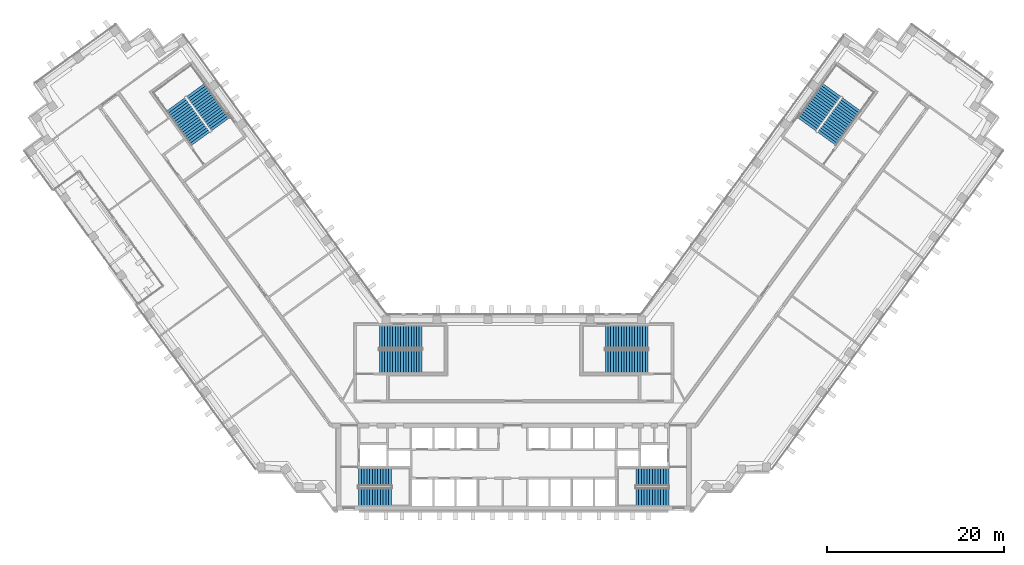
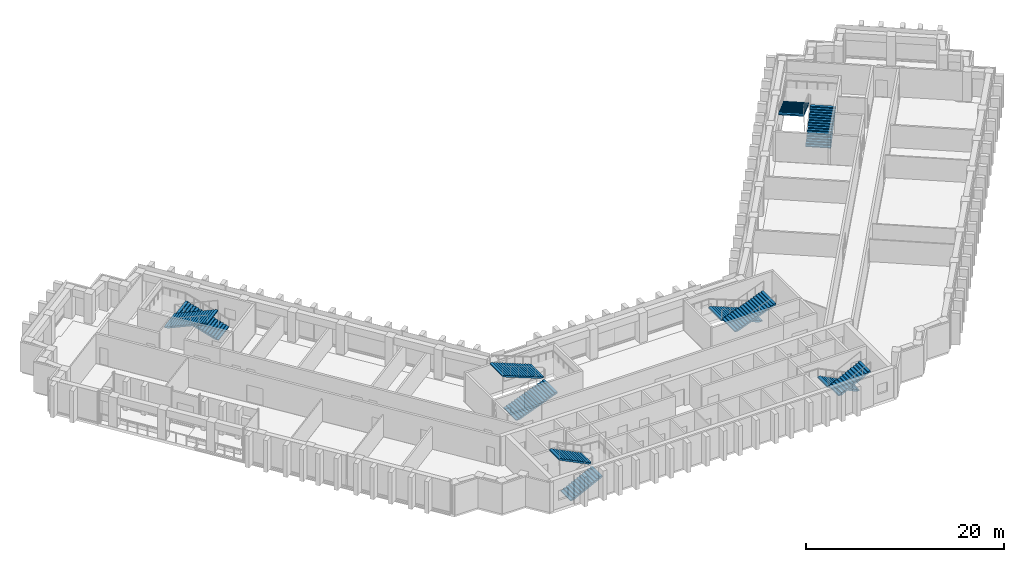
# One storey, part 13 of 17: 12 stair flights, 6 elements without a shape of their own.
"""IFC4 building model written with IfcOpenShell, lengths in metres."""

from ifc_helpers import new_model, si_unit, direction, frame, origin, place, context, subcontext, project, spatial, polyline, outline, extrude, material, type_object, element, aggregate, save


model = new_model("IFC4")

# Units and contexts
model_context = context("Model", 3, precision=1e-05, world=origin(), true_north=direction((0.0, 1.0)))
body_context = subcontext(model_context, "Body", "Model", "MODEL_VIEW")
ifc_project = project(units=[si_unit("LENGTHUNIT", "METRE"), si_unit("AREAUNIT", "SQUARE_METRE"), si_unit("VOLUMEUNIT", "CUBIC_METRE"), si_unit("PLANEANGLEUNIT", "RADIAN"), si_unit("MASSUNIT", "GRAM", prefix="KILO")], contexts=[model_context])

# Site, building, storey
site_placement = place(None, origin())
site = spatial("IfcSite", under=ifc_project, at=site_placement, CompositionType="ELEMENT")
building_placement = place(site_placement, origin())
building = spatial("IfcBuilding", under=site, at=building_placement, Name="Quipu Civic Tower", CompositionType="ELEMENT")
storey_placement = place(building_placement, frame((0.0, 0.0, 43.0)))
storey = spatial("IfcBuildingStorey", under=building, at=storey_placement, Name="L09", CompositionType="ELEMENT", Elevation=43.0)

# Stair, stair flights
ifc_material_1 = material(Name="Concrete C40/50", Category="concrete")
stair_type_1 = type_object("IfcStairType", Name="Half turn stair 2000", PredefinedType="HALF_TURN_STAIR", material=ifc_material_1)
stair_1_placement = place(storey_placement, origin())
stair_1 = element("IfcStair", 1, at=stair_1_placement, inside=storey, type_object=stair_type_1, Name="Exit stair 1", PredefinedType="HALF_TURN_STAIR")
ifc_material_2 = material(Name="Concrete C40/50", Category="concrete")
stair_flight_type_1 = type_object("IfcStairFlightType", Name="Stair flight 2000", PredefinedType="STRAIGHT", material=ifc_material_2)
stair_flight_1_placement = place(storey_placement, frame((-17.5, -9.5, 0.0), z_axis=(0.0, 0.0, 1.0), x_axis=(1.0, 0.0, 0.0)))
stair_flight_1 = element("IfcStairFlight", 2, at=stair_flight_1_placement, type_object=stair_flight_type_1, Name="ST-1 flight 1", NumberOfRisers=13, NumberOfTreads=12, PredefinedType="STRAIGHT", RiserHeight=0.153846154, TreadLength=0.31, context=body_context, shape_type="SweptSolid", body=[
    extrude(outline(polyline([(0.0, 0.0), (0.0, 0.15380859375), (0.31005859375, 0.15380859375), (0.31005859375, 0.3076171875), (0.6201171875, 0.3076171875), (0.6201171875, 0.46142578125), (0.929931640625, 0.46142578125), (0.929931640625, 0.615478515625), (1.239990234375, 0.615478515625), (1.239990234375, 0.769287109375), (1.550048828125, 0.769287109375), (1.550048828125, 0.923095703125), (1.860107421875, 0.923095703125), (1.860107421875, 1.076904296875), (2.169921875, 1.076904296875), (2.169921875, 1.230712890625), (2.47998046875, 1.230712890625), (2.47998046875, 1.384521484375), (2.7900390625, 1.384521484375), (2.7900390625, 1.53857421875), (3.10009765625, 1.53857421875), (3.10009765625, 1.6923828125), (3.409912109375, 1.6923828125), (3.409912109375, 1.84619140625), (3.719970703125, 1.84619140625), (3.719970703125, 2.0), (3.719970703125, 1.6787109375), (0.337158203125, 0.0), (0.0, 0.0)])), frame((0.0, 1.0, 0.0), z_axis=(0.0, -1.0, 0.0), x_axis=(1.0, 0.0, 0.0)), (0.0, 0.0, 1.0), 2.0),
])
stair_flight_2_placement = place(storey_placement, frame((-13.780029296875, -7.25, 2.0), z_axis=(0.0, 0.0, 1.0), x_axis=(-1.0, 0.0, 0.0)))
stair_flight_2 = element("IfcStairFlight", 3, at=stair_flight_2_placement, type_object=stair_flight_type_1, Name="ST-1 flight 2", NumberOfRisers=13, NumberOfTreads=12, PredefinedType="STRAIGHT", RiserHeight=0.153846154, TreadLength=0.31, context=body_context, shape_type="SweptSolid", body=[
    extrude(outline(polyline([(0.0, 0.0), (0.0, 0.15380859375), (0.31005859375, 0.15380859375), (0.31005859375, 0.3076171875), (0.6201171875, 0.3076171875), (0.6201171875, 0.46142578125), (0.929931640625, 0.46142578125), (0.929931640625, 0.615478515625), (1.239990234375, 0.615478515625), (1.239990234375, 0.769287109375), (1.550048828125, 0.769287109375), (1.550048828125, 0.923095703125), (1.860107421875, 0.923095703125), (1.860107421875, 1.076904296875), (2.169921875, 1.076904296875), (2.169921875, 1.230712890625), (2.47998046875, 1.230712890625), (2.47998046875, 1.384521484375), (2.7900390625, 1.384521484375), (2.7900390625, 1.53857421875), (3.10009765625, 1.53857421875), (3.10009765625, 1.6923828125), (3.409912109375, 1.6923828125), (3.409912109375, 1.84619140625), (3.719970703125, 1.84619140625), (3.719970703125, 2.0), (3.719970703125, 1.6787109375), (0.337158203125, 0.0), (0.0, 0.0)])), frame((0.0, 1.0, 0.0), z_axis=(0.0, -1.0, 0.0), x_axis=(1.0, 0.0, 0.0)), (0.0, 0.0, 1.0), 2.0),
])
aggregate(stair_1, [stair_flight_1, stair_flight_2])

stair_2_placement = place(storey_placement, origin())
stair_2 = element("IfcStair", 4, at=stair_2_placement, inside=storey, type_object=stair_type_1, Name="Exit stair 2", PredefinedType="HALF_TURN_STAIR")
stair_flight_3_placement = place(storey_placement, frame((17.5, -7.25, 0.0), z_axis=(0.0, 0.0, 1.0), x_axis=(-1.0, 0.0, 0.0)))
stair_flight_3 = element("IfcStairFlight", 5, at=stair_flight_3_placement, type_object=stair_flight_type_1, Name="ST-2 flight 1", NumberOfRisers=13, NumberOfTreads=12, PredefinedType="STRAIGHT", RiserHeight=0.153846154, TreadLength=0.31, context=body_context, shape_type="SweptSolid", body=[
    extrude(outline(polyline([(0.0, 0.0), (0.0, 0.15380859375), (0.31005859375, 0.15380859375), (0.31005859375, 0.3076171875), (0.6201171875, 0.3076171875), (0.6201171875, 0.46142578125), (0.929931640625, 0.46142578125), (0.929931640625, 0.615478515625), (1.239990234375, 0.615478515625), (1.239990234375, 0.769287109375), (1.550048828125, 0.769287109375), (1.550048828125, 0.923095703125), (1.860107421875, 0.923095703125), (1.860107421875, 1.076904296875), (2.169921875, 1.076904296875), (2.169921875, 1.230712890625), (2.47998046875, 1.230712890625), (2.47998046875, 1.384521484375), (2.7900390625, 1.384521484375), (2.7900390625, 1.53857421875), (3.10009765625, 1.53857421875), (3.10009765625, 1.6923828125), (3.409912109375, 1.6923828125), (3.409912109375, 1.84619140625), (3.719970703125, 1.84619140625), (3.719970703125, 2.0), (3.719970703125, 1.6787109375), (0.337158203125, 0.0), (0.0, 0.0)])), frame((0.0, 1.0, 0.0), z_axis=(0.0, -1.0, 0.0), x_axis=(1.0, 0.0, 0.0)), (0.0, 0.0, 1.0), 2.0),
])
stair_flight_4_placement = place(storey_placement, frame((13.780029296875, -9.5, 2.0), z_axis=(0.0, 0.0, 1.0), x_axis=(1.0, 0.0, 0.0)))
stair_flight_4 = element("IfcStairFlight", 6, at=stair_flight_4_placement, type_object=stair_flight_type_1, Name="ST-2 flight 2", NumberOfRisers=13, NumberOfTreads=12, PredefinedType="STRAIGHT", RiserHeight=0.153846154, TreadLength=0.31, context=body_context, shape_type="SweptSolid", body=[
    extrude(outline(polyline([(0.0, 0.0), (0.0, 0.15380859375), (0.31005859375, 0.15380859375), (0.31005859375, 0.3076171875), (0.6201171875, 0.3076171875), (0.6201171875, 0.46142578125), (0.929931640625, 0.46142578125), (0.929931640625, 0.615478515625), (1.239990234375, 0.615478515625), (1.239990234375, 0.769287109375), (1.550048828125, 0.769287109375), (1.550048828125, 0.923095703125), (1.860107421875, 0.923095703125), (1.860107421875, 1.076904296875), (2.169921875, 1.076904296875), (2.169921875, 1.230712890625), (2.47998046875, 1.230712890625), (2.47998046875, 1.384521484375), (2.7900390625, 1.384521484375), (2.7900390625, 1.53857421875), (3.10009765625, 1.53857421875), (3.10009765625, 1.6923828125), (3.409912109375, 1.6923828125), (3.409912109375, 1.84619140625), (3.719970703125, 1.84619140625), (3.719970703125, 2.0), (3.719970703125, 1.6787109375), (0.337158203125, 0.0), (0.0, 0.0)])), frame((0.0, 1.0, 0.0), z_axis=(0.0, -1.0, 0.0), x_axis=(1.0, 0.0, 0.0)), (0.0, 0.0, 1.0), 2.0),
])
aggregate(stair_2, [stair_flight_3, stair_flight_4])

ifc_material_3 = material(Name="Concrete C40/50", Category="concrete")
stair_type_2 = type_object("IfcStairType", Name="Half turn stair 2600", PredefinedType="HALF_TURN_STAIR", material=ifc_material_3)
stair_3_placement = place(storey_placement, origin())
stair_3 = element("IfcStair", 7, at=stair_3_placement, inside=storey, type_object=stair_type_2, Name="Exit stair 3", PredefinedType="HALF_TURN_STAIR")
ifc_material_4 = material(Name="Concrete C40/50", Category="concrete")
stair_flight_type_2 = type_object("IfcStairFlightType", Name="Stair flight 2600", PredefinedType="STRAIGHT", material=ifc_material_4)
stair_flight_5_placement = place(storey_placement, frame((-15.14990234375, 5.800048828125, 0.0), z_axis=(0.0, 0.0, 1.0), x_axis=(1.0, 0.0, 0.0)))
stair_flight_5 = element("IfcStairFlight", 8, at=stair_flight_5_placement, type_object=stair_flight_type_2, Name="ST-3 flight 1", NumberOfRisers=17, NumberOfTreads=16, PredefinedType="STRAIGHT", RiserHeight=0.117647059, TreadLength=0.3, context=body_context, shape_type="SweptSolid", body=[
    extrude(outline(polyline([(0.0, 0.0), (0.0, 0.11767578125), (0.300048828125, 0.11767578125), (0.300048828125, 0.2353515625), (0.60009765625, 0.2353515625), (0.60009765625, 0.35302734375), (0.89990234375, 0.35302734375), (0.89990234375, 0.470703125), (1.199951171875, 0.470703125), (1.199951171875, 0.588134765625), (1.5, 0.588134765625), (1.5, 0.705810546875), (1.800048828125, 0.705810546875), (1.800048828125, 0.823486328125), (2.10009765625, 0.823486328125), (2.10009765625, 0.941162109375), (2.39990234375, 0.941162109375), (2.39990234375, 1.058837890625), (2.699951171875, 1.058837890625), (2.699951171875, 1.176513671875), (3.0, 1.176513671875), (3.0, 1.294189453125), (3.300048828125, 1.294189453125), (3.300048828125, 1.411865234375), (3.60009765625, 1.411865234375), (3.60009765625, 1.529296875), (3.89990234375, 1.529296875), (3.89990234375, 1.64697265625), (4.199951171875, 1.64697265625), (4.199951171875, 1.7646484375), (4.5, 1.7646484375), (4.5, 1.88232421875), (4.800048828125, 1.88232421875), (4.800048828125, 2.0), (4.800048828125, 1.721435546875), (0.41064453125, 0.0), (0.0, 0.0)])), frame((0.0, 1.300048828125, 0.0), z_axis=(0.0, -1.0, 0.0), x_axis=(1.0, 0.0, 0.0)), (0.0, 0.0, 1.0), 2.60009765625),
])
stair_flight_6_placement = place(storey_placement, frame((-10.35009765625, 8.550048828125, 2.0), z_axis=(0.0, 0.0, 1.0), x_axis=(-1.0, 0.0, 0.0)))
stair_flight_6 = element("IfcStairFlight", 9, at=stair_flight_6_placement, type_object=stair_flight_type_2, Name="ST-3 flight 2", NumberOfRisers=17, NumberOfTreads=16, PredefinedType="STRAIGHT", RiserHeight=0.117647059, TreadLength=0.3, context=body_context, shape_type="SweptSolid", body=[
    extrude(outline(polyline([(0.0, 0.0), (0.0, 0.11767578125), (0.300048828125, 0.11767578125), (0.300048828125, 0.2353515625), (0.60009765625, 0.2353515625), (0.60009765625, 0.35302734375), (0.89990234375, 0.35302734375), (0.89990234375, 0.470703125), (1.199951171875, 0.470703125), (1.199951171875, 0.588134765625), (1.5, 0.588134765625), (1.5, 0.705810546875), (1.800048828125, 0.705810546875), (1.800048828125, 0.823486328125), (2.10009765625, 0.823486328125), (2.10009765625, 0.941162109375), (2.39990234375, 0.941162109375), (2.39990234375, 1.058837890625), (2.699951171875, 1.058837890625), (2.699951171875, 1.176513671875), (3.0, 1.176513671875), (3.0, 1.294189453125), (3.300048828125, 1.294189453125), (3.300048828125, 1.411865234375), (3.60009765625, 1.411865234375), (3.60009765625, 1.529296875), (3.89990234375, 1.529296875), (3.89990234375, 1.64697265625), (4.199951171875, 1.64697265625), (4.199951171875, 1.7646484375), (4.5, 1.7646484375), (4.5, 1.88232421875), (4.800048828125, 1.88232421875), (4.800048828125, 2.0), (4.800048828125, 1.721435546875), (0.41064453125, 0.0), (0.0, 0.0)])), frame((0.0, 1.300048828125, 0.0), z_axis=(0.0, -1.0, 0.0), x_axis=(1.0, 0.0, 0.0)), (0.0, 0.0, 1.0), 2.60009765625),
])
aggregate(stair_3, [stair_flight_5, stair_flight_6])

stair_4_placement = place(storey_placement, origin())
stair_4 = element("IfcStair", 10, at=stair_4_placement, inside=storey, type_object=stair_type_2, Name="Exit stair 4", PredefinedType="HALF_TURN_STAIR")
stair_flight_7_placement = place(storey_placement, frame((15.14990234375, 8.550048828125, 0.0), z_axis=(0.0, 0.0, 1.0), x_axis=(-1.0, 0.0, 0.0)))
stair_flight_7 = element("IfcStairFlight", 11, at=stair_flight_7_placement, type_object=stair_flight_type_2, Name="ST-4 flight 1", NumberOfRisers=17, NumberOfTreads=16, PredefinedType="STRAIGHT", RiserHeight=0.117647059, TreadLength=0.3, context=body_context, shape_type="SweptSolid", body=[
    extrude(outline(polyline([(0.0, 0.0), (0.0, 0.11767578125), (0.300048828125, 0.11767578125), (0.300048828125, 0.2353515625), (0.60009765625, 0.2353515625), (0.60009765625, 0.35302734375), (0.89990234375, 0.35302734375), (0.89990234375, 0.470703125), (1.199951171875, 0.470703125), (1.199951171875, 0.588134765625), (1.5, 0.588134765625), (1.5, 0.705810546875), (1.800048828125, 0.705810546875), (1.800048828125, 0.823486328125), (2.10009765625, 0.823486328125), (2.10009765625, 0.941162109375), (2.39990234375, 0.941162109375), (2.39990234375, 1.058837890625), (2.699951171875, 1.058837890625), (2.699951171875, 1.176513671875), (3.0, 1.176513671875), (3.0, 1.294189453125), (3.300048828125, 1.294189453125), (3.300048828125, 1.411865234375), (3.60009765625, 1.411865234375), (3.60009765625, 1.529296875), (3.89990234375, 1.529296875), (3.89990234375, 1.64697265625), (4.199951171875, 1.64697265625), (4.199951171875, 1.7646484375), (4.5, 1.7646484375), (4.5, 1.88232421875), (4.800048828125, 1.88232421875), (4.800048828125, 2.0), (4.800048828125, 1.721435546875), (0.41064453125, 0.0), (0.0, 0.0)])), frame((0.0, 1.300048828125, 0.0), z_axis=(0.0, -1.0, 0.0), x_axis=(1.0, 0.0, 0.0)), (0.0, 0.0, 1.0), 2.60009765625),
])
stair_flight_8_placement = place(storey_placement, frame((10.35009765625, 5.800048828125, 2.0), z_axis=(0.0, 0.0, 1.0), x_axis=(1.0, 0.0, 0.0)))
stair_flight_8 = element("IfcStairFlight", 12, at=stair_flight_8_placement, type_object=stair_flight_type_2, Name="ST-4 flight 2", NumberOfRisers=17, NumberOfTreads=16, PredefinedType="STRAIGHT", RiserHeight=0.117647059, TreadLength=0.3, context=body_context, shape_type="SweptSolid", body=[
    extrude(outline(polyline([(0.0, 0.0), (0.0, 0.11767578125), (0.300048828125, 0.11767578125), (0.300048828125, 0.2353515625), (0.60009765625, 0.2353515625), (0.60009765625, 0.35302734375), (0.89990234375, 0.35302734375), (0.89990234375, 0.470703125), (1.199951171875, 0.470703125), (1.199951171875, 0.588134765625), (1.5, 0.588134765625), (1.5, 0.705810546875), (1.800048828125, 0.705810546875), (1.800048828125, 0.823486328125), (2.10009765625, 0.823486328125), (2.10009765625, 0.941162109375), (2.39990234375, 0.941162109375), (2.39990234375, 1.058837890625), (2.699951171875, 1.058837890625), (2.699951171875, 1.176513671875), (3.0, 1.176513671875), (3.0, 1.294189453125), (3.300048828125, 1.294189453125), (3.300048828125, 1.411865234375), (3.60009765625, 1.411865234375), (3.60009765625, 1.529296875), (3.89990234375, 1.529296875), (3.89990234375, 1.64697265625), (4.199951171875, 1.64697265625), (4.199951171875, 1.7646484375), (4.5, 1.7646484375), (4.5, 1.88232421875), (4.800048828125, 1.88232421875), (4.800048828125, 2.0), (4.800048828125, 1.721435546875), (0.41064453125, 0.0), (0.0, 0.0)])), frame((0.0, 1.300048828125, 0.0), z_axis=(0.0, -1.0, 0.0), x_axis=(1.0, 0.0, 0.0)), (0.0, 0.0, 1.0), 2.60009765625),
])
aggregate(stair_4, [stair_flight_7, stair_flight_8])

stair_5_placement = place(storey_placement, origin())
stair_5 = element("IfcStair", 13, at=stair_5_placement, inside=storey, type_object=stair_type_2, Name="Exit stair 6", PredefinedType="HALF_TURN_STAIR")
stair_flight_9_placement = place(storey_placement, frame((-33.067626953125, 32.5322265625, 0.0), z_axis=(0.0, 0.0, 1.0), x_axis=(-0.587785252292, 0.809016994375, 0.0)))
stair_flight_9 = element("IfcStairFlight", 14, at=stair_flight_9_placement, type_object=stair_flight_type_2, Name="ST-6 flight 1", NumberOfRisers=17, NumberOfTreads=16, PredefinedType="STRAIGHT", RiserHeight=0.117647059, TreadLength=0.3, context=body_context, shape_type="SweptSolid", body=[
    extrude(outline(polyline([(0.0, 0.0), (0.0, 0.11767578125), (0.300048828125, 0.11767578125), (0.300048828125, 0.2353515625), (0.60009765625, 0.2353515625), (0.60009765625, 0.35302734375), (0.89990234375, 0.35302734375), (0.89990234375, 0.470703125), (1.199951171875, 0.470703125), (1.199951171875, 0.588134765625), (1.5, 0.588134765625), (1.5, 0.705810546875), (1.800048828125, 0.705810546875), (1.800048828125, 0.823486328125), (2.10009765625, 0.823486328125), (2.10009765625, 0.941162109375), (2.39990234375, 0.941162109375), (2.39990234375, 1.058837890625), (2.699951171875, 1.058837890625), (2.699951171875, 1.176513671875), (3.0, 1.176513671875), (3.0, 1.294189453125), (3.300048828125, 1.294189453125), (3.300048828125, 1.411865234375), (3.60009765625, 1.411865234375), (3.60009765625, 1.529296875), (3.89990234375, 1.529296875), (3.89990234375, 1.64697265625), (4.199951171875, 1.64697265625), (4.199951171875, 1.7646484375), (4.5, 1.7646484375), (4.5, 1.88232421875), (4.800048828125, 1.88232421875), (4.800048828125, 2.0), (4.800048828125, 1.721435546875), (0.41064453125, 0.0), (0.0, 0.0)])), frame((0.0, 1.300048828125, 0.0), z_axis=(0.0, -1.0, 0.0), x_axis=(1.0, 0.0, 0.0)), (0.0, 0.0, 1.0), 2.60009765625),
])
stair_flight_10_placement = place(storey_placement, frame((-38.11376953125, 34.799072265625, 2.0), z_axis=(0.0, 0.0, 1.0), x_axis=(0.587785252292, -0.809016994375, 0.0)))
stair_flight_10 = element("IfcStairFlight", 15, at=stair_flight_10_placement, type_object=stair_flight_type_2, Name="ST-6 flight 2", NumberOfRisers=17, NumberOfTreads=16, PredefinedType="STRAIGHT", RiserHeight=0.117647059, TreadLength=0.3, context=body_context, shape_type="SweptSolid", body=[
    extrude(outline(polyline([(0.0, 0.0), (0.0, 0.11767578125), (0.300048828125, 0.11767578125), (0.300048828125, 0.2353515625), (0.60009765625, 0.2353515625), (0.60009765625, 0.35302734375), (0.89990234375, 0.35302734375), (0.89990234375, 0.470703125), (1.199951171875, 0.470703125), (1.199951171875, 0.588134765625), (1.5, 0.588134765625), (1.5, 0.705810546875), (1.800048828125, 0.705810546875), (1.800048828125, 0.823486328125), (2.10009765625, 0.823486328125), (2.10009765625, 0.941162109375), (2.39990234375, 0.941162109375), (2.39990234375, 1.058837890625), (2.699951171875, 1.058837890625), (2.699951171875, 1.176513671875), (3.0, 1.176513671875), (3.0, 1.294189453125), (3.300048828125, 1.294189453125), (3.300048828125, 1.411865234375), (3.60009765625, 1.411865234375), (3.60009765625, 1.529296875), (3.89990234375, 1.529296875), (3.89990234375, 1.64697265625), (4.199951171875, 1.64697265625), (4.199951171875, 1.7646484375), (4.5, 1.7646484375), (4.5, 1.88232421875), (4.800048828125, 1.88232421875), (4.800048828125, 2.0), (4.800048828125, 1.721435546875), (0.41064453125, 0.0), (0.0, 0.0)])), frame((0.0, 1.300048828125, 0.0), z_axis=(0.0, -1.0, 0.0), x_axis=(1.0, 0.0, 0.0)), (0.0, 0.0, 1.0), 2.60009765625),
])
aggregate(stair_5, [stair_flight_9, stair_flight_10])

stair_6_placement = place(storey_placement, origin())
stair_6 = element("IfcStair", 16, at=stair_6_placement, inside=storey, type_object=stair_type_2, Name="Exit stair 7", PredefinedType="HALF_TURN_STAIR")
stair_flight_11_placement = place(storey_placement, frame((35.29248046875, 30.915771484375, 0.0), z_axis=(0.0, 0.0, 1.0), x_axis=(0.587785252292, 0.809016994375, 0.0)))
stair_flight_11 = element("IfcStairFlight", 17, at=stair_flight_11_placement, type_object=stair_flight_type_2, Name="ST-7 flight 1", NumberOfRisers=17, NumberOfTreads=16, PredefinedType="STRAIGHT", RiserHeight=0.117647059, TreadLength=0.3, context=body_context, shape_type="SweptSolid", body=[
    extrude(outline(polyline([(0.0, 0.0), (0.0, 0.11767578125), (0.300048828125, 0.11767578125), (0.300048828125, 0.2353515625), (0.60009765625, 0.2353515625), (0.60009765625, 0.35302734375), (0.89990234375, 0.35302734375), (0.89990234375, 0.470703125), (1.199951171875, 0.470703125), (1.199951171875, 0.588134765625), (1.5, 0.588134765625), (1.5, 0.705810546875), (1.800048828125, 0.705810546875), (1.800048828125, 0.823486328125), (2.10009765625, 0.823486328125), (2.10009765625, 0.941162109375), (2.39990234375, 0.941162109375), (2.39990234375, 1.058837890625), (2.699951171875, 1.058837890625), (2.699951171875, 1.176513671875), (3.0, 1.176513671875), (3.0, 1.294189453125), (3.300048828125, 1.294189453125), (3.300048828125, 1.411865234375), (3.60009765625, 1.411865234375), (3.60009765625, 1.529296875), (3.89990234375, 1.529296875), (3.89990234375, 1.64697265625), (4.199951171875, 1.64697265625), (4.199951171875, 1.7646484375), (4.5, 1.7646484375), (4.5, 1.88232421875), (4.800048828125, 1.88232421875), (4.800048828125, 2.0), (4.800048828125, 1.721435546875), (0.41064453125, 0.0), (0.0, 0.0)])), frame((0.0, 1.300048828125, 0.0), z_axis=(0.0, -1.0, 0.0), x_axis=(1.0, 0.0, 0.0)), (0.0, 0.0, 1.0), 2.60009765625),
])
stair_flight_12_placement = place(storey_placement, frame((35.888916015625, 36.41552734375, 2.0), z_axis=(0.0, 0.0, 1.0), x_axis=(-0.587785252292, -0.809016994375, 0.0)))
stair_flight_12 = element("IfcStairFlight", 18, at=stair_flight_12_placement, type_object=stair_flight_type_2, Name="ST-7 flight 2", NumberOfRisers=17, NumberOfTreads=16, PredefinedType="STRAIGHT", RiserHeight=0.117647059, TreadLength=0.3, context=body_context, shape_type="SweptSolid", body=[
    extrude(outline(polyline([(0.0, 0.0), (0.0, 0.11767578125), (0.300048828125, 0.11767578125), (0.300048828125, 0.2353515625), (0.60009765625, 0.2353515625), (0.60009765625, 0.35302734375), (0.89990234375, 0.35302734375), (0.89990234375, 0.470703125), (1.199951171875, 0.470703125), (1.199951171875, 0.588134765625), (1.5, 0.588134765625), (1.5, 0.705810546875), (1.800048828125, 0.705810546875), (1.800048828125, 0.823486328125), (2.10009765625, 0.823486328125), (2.10009765625, 0.941162109375), (2.39990234375, 0.941162109375), (2.39990234375, 1.058837890625), (2.699951171875, 1.058837890625), (2.699951171875, 1.176513671875), (3.0, 1.176513671875), (3.0, 1.294189453125), (3.300048828125, 1.294189453125), (3.300048828125, 1.411865234375), (3.60009765625, 1.411865234375), (3.60009765625, 1.529296875), (3.89990234375, 1.529296875), (3.89990234375, 1.64697265625), (4.199951171875, 1.64697265625), (4.199951171875, 1.7646484375), (4.5, 1.7646484375), (4.5, 1.88232421875), (4.800048828125, 1.88232421875), (4.800048828125, 2.0), (4.800048828125, 1.721435546875), (0.41064453125, 0.0), (0.0, 0.0)])), frame((0.0, 1.300048828125, 0.0), z_axis=(0.0, -1.0, 0.0), x_axis=(1.0, 0.0, 0.0)), (0.0, 0.0, 1.0), 2.60009765625),
])
aggregate(stair_6, [stair_flight_11, stair_flight_12])

save(model, "model.ifc")
